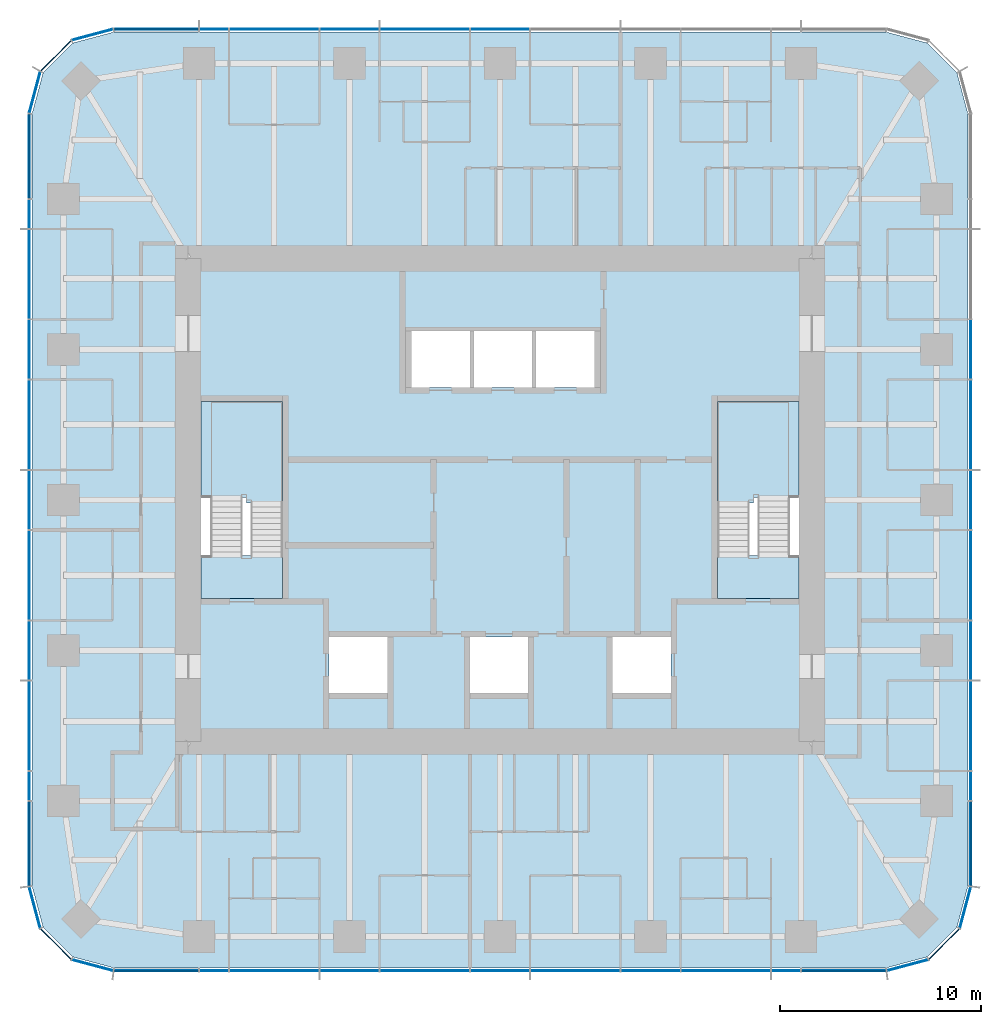
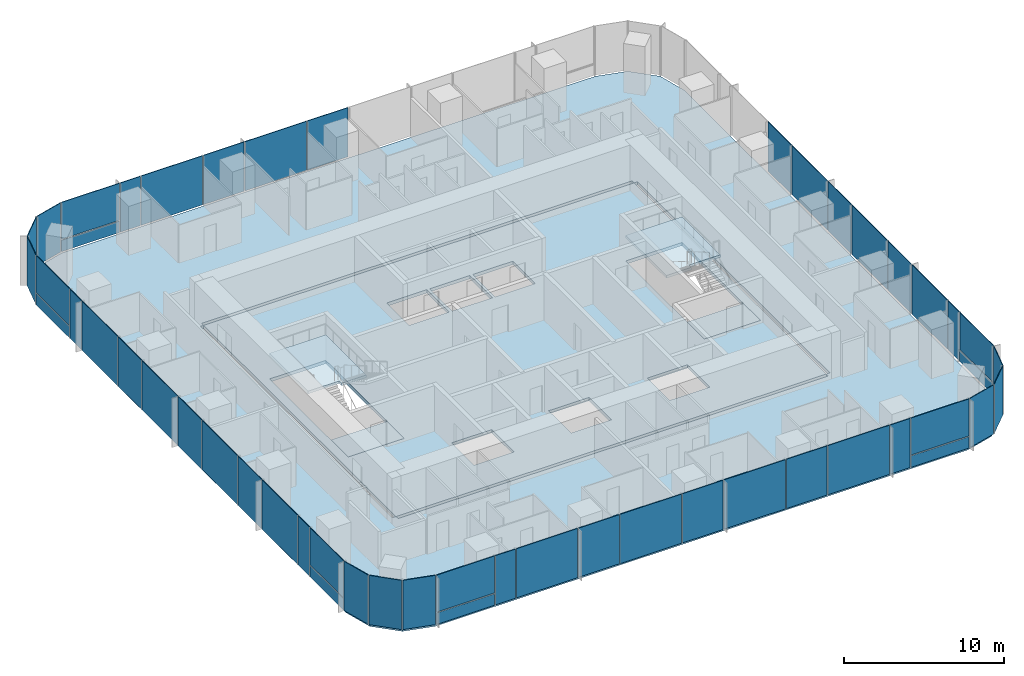
# One storey, part 7 of 12: 51 plates, 6 slabs, 9 elements without a shape of their own.
"""IFC4 building model written with IfcOpenShell, lengths in metres."""

from ifc_helpers import new_model, si_unit, direction, frame, origin, origin_2d, place, context, subcontext, project, spatial, polyline, rectangle, outline, extrude, material, layer, layer_set, type_object, element, aggregate, save


model = new_model("IFC4")

# Units and contexts
model_context = context("Model", 3, precision=1e-05, world=origin(), true_north=direction((0.0, 1.0)))
body_context = subcontext(model_context, "Body", "Model", "MODEL_VIEW")
ifc_project = project(units=[si_unit("LENGTHUNIT", "METRE"), si_unit("AREAUNIT", "SQUARE_METRE"), si_unit("VOLUMEUNIT", "CUBIC_METRE"), si_unit("PLANEANGLEUNIT", "RADIAN"), si_unit("MASSUNIT", "GRAM", prefix="KILO")], contexts=[model_context])

# Site, building, storey
site_placement = place(None, origin())
site = spatial("IfcSite", under=ifc_project, at=site_placement, CompositionType="ELEMENT")
building_placement = place(site_placement, origin())
building = spatial("IfcBuilding", under=site, at=building_placement, Name="Khuree Lantern Residences", CompositionType="ELEMENT")
storey_placement = place(building_placement, frame((0.0, 0.0, 323.25)))
storey = spatial("IfcBuildingStorey", under=building, at=storey_placement, Name="L81", CompositionType="ELEMENT", Elevation=323.25)

# Slab
ifc_material_1 = material(Name="Concrete C35/45", Category="concrete")
ifc_layer_1 = layer(ifc_material_1, 0.25)
ifc_layer_set_1 = layer_set([ifc_layer_1], Name="CFL250 CORE FLOOR SLAB 250")
slab_type_1 = type_object("IfcSlabType", Name="CFL250 CORE FLOOR SLAB 250", PredefinedType="FLOOR", material=ifc_layer_set_1)
slab_1_placement = place(storey_placement, frame((0.0, 0.0, -0.25)))
element("IfcSlab", 1, at=slab_1_placement, inside=storey, type_object=slab_type_1, Name="Core floor L81", PredefinedType="FLOOR", context=body_context, shape_type="SweptSolid", body=[
    extrude(outline(polyline([(-15.5, -12.0), (-15.5, 12.0), (15.5, 12.0), (15.5, -12.0), (-15.5, -12.0)]), holes=[polyline([(10.800048828125, 4.89990234375), (10.800048828125, -4.89990234375), (14.85009765625, -4.89990234375), (14.85009765625, 4.89990234375), (10.800048828125, 4.89990234375)]), polyline([(5.60009765625, -6.800048828125), (5.60009765625, -9.60009765625), (8.5, -9.60009765625), (8.5, -6.800048828125), (5.60009765625, -6.800048828125)]), polyline([(1.800048828125, 8.39990234375), (1.800048828125, 5.60009765625), (4.699951171875, 5.60009765625), (4.699951171875, 8.39990234375), (1.800048828125, 8.39990234375)]), polyline([(-1.300048828125, 8.39990234375), (-1.300048828125, 5.60009765625), (1.60009765625, 5.60009765625), (1.60009765625, 8.39990234375), (-1.300048828125, 8.39990234375)]), polyline([(-1.5, -6.800048828125), (-1.5, -9.60009765625), (1.39990234375, -9.60009765625), (1.39990234375, -6.800048828125), (-1.5, -6.800048828125)]), polyline([(-4.39990234375, 8.39990234375), (-4.39990234375, 5.60009765625), (-1.5, 5.60009765625), (-1.5, 8.39990234375), (-4.39990234375, 8.39990234375)]), polyline([(-8.5, -6.800048828125), (-8.5, -9.60009765625), (-5.60009765625, -9.60009765625), (-5.60009765625, -6.800048828125), (-8.5, -6.800048828125)]), polyline([(-14.85009765625, 4.89990234375), (-14.85009765625, -4.89990234375), (-10.800048828125, -4.89990234375), (-10.800048828125, 4.89990234375), (-14.85009765625, 4.89990234375)])]), origin(), (0.0, 0.0, 1.0), 0.25),
])

# Curtain wall, plates
ifc_material_2 = material(Name="Bronze anodised aluminium", Category="aluminium")
curtain_wall_type_1 = type_object("IfcCurtainWallType", Name="CW-T2 TOWER CORNER CURTAIN WALL", PredefinedType="USERDEFINED", material=ifc_material_2)
curtain_wall_1_placement = place(storey_placement, origin())
curtain_wall_1 = element("IfcCurtainWall", 2, at=curtain_wall_1_placement, inside=storey, type_object=curtain_wall_type_1, Name="L81 SOUTH-EAST CORNER CURTAIN WALL", ObjectType="Faceted corner curtain wall", PredefinedType="USERDEFINED")
ifc_material_3 = material(Name="Bronze tinted triple glazing", Category="glass")
ifc_layer_2 = layer(ifc_material_3, 0.048095703125)
ifc_layer_set_2 = layer_set([ifc_layer_2], Name="FACET PANEL P4")
plate_type_1 = type_object("IfcPlateType", Name="FACET PANEL P4", PredefinedType="CURTAIN_PANEL", material=ifc_layer_set_2)
plate_1_placement = place(storey_placement, frame((20.248046875, -23.119140625, 0.0), z_axis=(0.0, 0.0, 1.0), x_axis=(0.965925861257, 0.2588189146, 0.0)))
plate_1 = element("IfcPlate", 3, at=plate_1_placement, type_object=plate_type_1, Name="L81 SOUTH-EAST CORNER PANEL 1.1", PredefinedType="CURTAIN_PANEL", context=body_context, shape_type="SweptSolid", body=[
    extrude(rectangle(XDim=2.09814453125, YDim=0.048095703125, at=origin_2d()), origin(), (0.0, 0.0, 1.0), 3.75),
])
plate_2_placement = place(storey_placement, frame((22.068603515625, -22.068603515625, 0.0), z_axis=(0.0, 0.0, 1.0), x_axis=(0.707106781187, 0.707106781187, 0.0)))
plate_2 = element("IfcPlate", 4, at=plate_2_placement, type_object=plate_type_1, Name="L81 SOUTH-EAST CORNER PANEL 2.1", PredefinedType="CURTAIN_PANEL", context=body_context, shape_type="SweptSolid", body=[
    extrude(rectangle(XDim=2.093994140625, YDim=0.048095703125, at=origin_2d()), origin(), (0.0, 0.0, 1.0), 3.75),
])
plate_3_placement = place(storey_placement, frame((23.119140625, -20.248046875, 0.0), z_axis=(0.0, 0.0, 1.0), x_axis=(0.2588189146, 0.965925861257, 0.0)))
plate_3 = element("IfcPlate", 5, at=plate_3_placement, type_object=plate_type_1, Name="L81 SOUTH-EAST CORNER PANEL 3.1", PredefinedType="CURTAIN_PANEL", context=body_context, shape_type="SweptSolid", body=[
    extrude(rectangle(XDim=2.09814453125, YDim=0.048095703125, at=origin_2d()), origin(), (0.0, 0.0, 1.0), 3.75),
])
aggregate(curtain_wall_1, [plate_1, plate_2, plate_3])

curtain_wall_2_placement = place(storey_placement, origin())
curtain_wall_2 = element("IfcCurtainWall", 6, at=curtain_wall_2_placement, inside=storey, type_object=curtain_wall_type_1, Name="L81 NORTH-WEST CORNER CURTAIN WALL", ObjectType="Faceted corner curtain wall", PredefinedType="USERDEFINED")
plate_4_placement = place(storey_placement, frame((-20.248046875, 23.119140625, 0.0), z_axis=(0.0, 0.0, 1.0), x_axis=(-0.965925861257, -0.2588189146, 0.0)))
plate_4 = element("IfcPlate", 7, at=plate_4_placement, type_object=plate_type_1, Name="L81 NORTH-WEST CORNER PANEL 29.1", PredefinedType="CURTAIN_PANEL", context=body_context, shape_type="SweptSolid", body=[
    extrude(rectangle(XDim=2.09814453125, YDim=0.048095703125, at=origin_2d()), origin(), (0.0, 0.0, 1.0), 3.75),
])
plate_5_placement = place(storey_placement, frame((-22.068603515625, 22.068603515625, 0.0), z_axis=(0.0, 0.0, 1.0), x_axis=(-0.707106781187, -0.707106781187, 0.0)))
plate_5 = element("IfcPlate", 8, at=plate_5_placement, type_object=plate_type_1, Name="L81 NORTH-WEST CORNER PANEL 30.1", PredefinedType="CURTAIN_PANEL", context=body_context, shape_type="SweptSolid", body=[
    extrude(rectangle(XDim=2.093994140625, YDim=0.048095703125, at=origin_2d()), origin(), (0.0, 0.0, 1.0), 3.75),
])
plate_6_placement = place(storey_placement, frame((-23.119140625, 20.248046875, 0.0), z_axis=(0.0, 0.0, 1.0), x_axis=(-0.2588189146, -0.965925861257, 0.0)))
plate_6 = element("IfcPlate", 9, at=plate_6_placement, type_object=plate_type_1, Name="L81 NORTH-WEST CORNER PANEL 31.1", PredefinedType="CURTAIN_PANEL", context=body_context, shape_type="SweptSolid", body=[
    extrude(rectangle(XDim=2.09814453125, YDim=0.048095703125, at=origin_2d()), origin(), (0.0, 0.0, 1.0), 3.75),
])
aggregate(curtain_wall_2, [plate_4, plate_5, plate_6])

curtain_wall_3_placement = place(storey_placement, origin())
curtain_wall_3 = element("IfcCurtainWall", 10, at=curtain_wall_3_placement, inside=storey, type_object=curtain_wall_type_1, Name="L81 SOUTH-WEST CORNER CURTAIN WALL", ObjectType="Faceted corner curtain wall", PredefinedType="USERDEFINED")
plate_7_placement = place(storey_placement, frame((-23.119140625, -20.248046875, 0.0), z_axis=(0.0, 0.0, 1.0), x_axis=(0.2588189146, -0.965925861257, 0.0)))
plate_7 = element("IfcPlate", 11, at=plate_7_placement, type_object=plate_type_1, Name="L81 SOUTH-WEST CORNER PANEL 43.1", PredefinedType="CURTAIN_PANEL", context=body_context, shape_type="SweptSolid", body=[
    extrude(rectangle(XDim=2.09814453125, YDim=0.048095703125, at=origin_2d()), origin(), (0.0, 0.0, 1.0), 3.75),
])
plate_8_placement = place(storey_placement, frame((-22.068603515625, -22.068603515625, 0.0), z_axis=(0.0, 0.0, 1.0), x_axis=(0.707106781187, -0.707106781187, 0.0)))
plate_8 = element("IfcPlate", 12, at=plate_8_placement, type_object=plate_type_1, Name="L81 SOUTH-WEST CORNER PANEL 44.1", PredefinedType="CURTAIN_PANEL", context=body_context, shape_type="SweptSolid", body=[
    extrude(rectangle(XDim=2.093994140625, YDim=0.048095703125, at=origin_2d()), origin(), (0.0, 0.0, 1.0), 3.75),
])
plate_9_placement = place(storey_placement, frame((-20.248046875, -23.119140625, 0.0), z_axis=(0.0, 0.0, 1.0), x_axis=(0.965925861257, -0.2588189146, 0.0)))
plate_9 = element("IfcPlate", 13, at=plate_9_placement, type_object=plate_type_1, Name="L81 SOUTH-WEST CORNER PANEL 45.1", PredefinedType="CURTAIN_PANEL", context=body_context, shape_type="SweptSolid", body=[
    extrude(rectangle(XDim=2.09814453125, YDim=0.048095703125, at=origin_2d()), origin(), (0.0, 0.0, 1.0), 3.75),
])
aggregate(curtain_wall_3, [plate_7, plate_8, plate_9])

curtain_wall_type_2 = type_object("IfcCurtainWallType", Name="CW-T1 TOWER FACE CURTAIN WALL", PredefinedType="USERDEFINED", material=ifc_material_2)
curtain_wall_4_placement = place(storey_placement, origin())
curtain_wall_4 = element("IfcCurtainWall", 14, at=curtain_wall_4_placement, inside=storey, type_object=curtain_wall_type_2, Name="L81 EAST FACE CURTAIN WALL", ObjectType="Stick-built curtain wall", PredefinedType="USERDEFINED")
ifc_material_4 = material(Name="Bronze tinted triple glazing with a ceramic-fritted spandrel band", Category="glass")
ifc_layer_3 = layer(ifc_material_4, 0.048095703125)
ifc_layer_set_3 = layer_set([ifc_layer_3], Name="FIXED LIGHT PANEL P11")
plate_type_2 = type_object("IfcPlateType", Name="FIXED LIGHT PANEL P11", PredefinedType="CURTAIN_PANEL", material=ifc_layer_set_3)
plate_10_placement = place(storey_placement, frame((23.39990234375, -11.219970703125, 0.0), z_axis=(0.0, 0.0, 1.0), x_axis=(0.0, 1.0, 0.0)))
plate_10 = element("IfcPlate", 15, at=plate_10_placement, type_object=plate_type_2, Name="L81 EAST FACE PANEL 6.1", PredefinedType="CURTAIN_PANEL", context=body_context, shape_type="SweptSolid", body=[
    extrude(rectangle(XDim=4.423095703125, YDim=0.048095703125, at=origin_2d()), origin(), (0.0, 0.0, 1.0), 3.75),
])
plate_11_placement = place(storey_placement, frame((23.39990234375, -3.739990234375, 0.0), z_axis=(0.0, 0.0, 1.0), x_axis=(0.0, 1.0, 0.0)))
plate_11 = element("IfcPlate", 16, at=plate_11_placement, type_object=plate_type_2, Name="L81 EAST FACE PANEL 8.1", PredefinedType="CURTAIN_PANEL", context=body_context, shape_type="SweptSolid", body=[
    extrude(rectangle(XDim=4.423095703125, YDim=0.048095703125, at=origin_2d()), origin(), (0.0, 0.0, 1.0), 3.75),
])
plate_12_placement = place(storey_placement, frame((23.39990234375, 3.739990234375, 0.0), z_axis=(0.0, 0.0, 1.0), x_axis=(0.0, 1.0, 0.0)))
plate_12 = element("IfcPlate", 17, at=plate_12_placement, type_object=plate_type_2, Name="L81 EAST FACE PANEL 10.1", PredefinedType="CURTAIN_PANEL", context=body_context, shape_type="SweptSolid", body=[
    extrude(rectangle(XDim=4.423095703125, YDim=0.048095703125, at=origin_2d()), origin(), (0.0, 0.0, 1.0), 3.75),
])

curtain_wall_5_placement = place(storey_placement, origin())
curtain_wall_5 = element("IfcCurtainWall", 18, at=curtain_wall_5_placement, inside=storey, type_object=curtain_wall_type_2, Name="L81 NORTH FACE CURTAIN WALL", ObjectType="Stick-built curtain wall", PredefinedType="USERDEFINED")
plate_13_placement = place(storey_placement, frame((-3.739990234375, 23.39990234375, 0.0), z_axis=(0.0, 0.0, 1.0), x_axis=(-1.0, 0.0, 0.0)))
plate_13 = element("IfcPlate", 19, at=plate_13_placement, type_object=plate_type_2, Name="L81 NORTH FACE PANEL 24.1", PredefinedType="CURTAIN_PANEL", context=body_context, shape_type="SweptSolid", body=[
    extrude(rectangle(XDim=4.423095703125, YDim=0.048095703125, at=origin_2d()), origin(), (0.0, 0.0, 1.0), 3.75),
])
plate_14_placement = place(storey_placement, frame((-11.219970703125, 23.39990234375, 0.0), z_axis=(0.0, 0.0, 1.0), x_axis=(-1.0, 0.0, 0.0)))
plate_14 = element("IfcPlate", 20, at=plate_14_placement, type_object=plate_type_2, Name="L81 NORTH FACE PANEL 26.1", PredefinedType="CURTAIN_PANEL", context=body_context, shape_type="SweptSolid", body=[
    extrude(rectangle(XDim=4.423095703125, YDim=0.048095703125, at=origin_2d()), origin(), (0.0, 0.0, 1.0), 3.75),
])

curtain_wall_6_placement = place(storey_placement, origin())
curtain_wall_6 = element("IfcCurtainWall", 21, at=curtain_wall_6_placement, inside=storey, type_object=curtain_wall_type_2, Name="L81 WEST FACE CURTAIN WALL", ObjectType="Stick-built curtain wall", PredefinedType="USERDEFINED")
plate_15_placement = place(storey_placement, frame((-23.39990234375, 11.219970703125, 0.0), z_axis=(0.0, 0.0, 1.0), x_axis=(0.0, -1.0, 0.0)))
plate_15 = element("IfcPlate", 22, at=plate_15_placement, type_object=plate_type_2, Name="L81 WEST FACE PANEL 34.1", PredefinedType="CURTAIN_PANEL", context=body_context, shape_type="SweptSolid", body=[
    extrude(rectangle(XDim=4.423095703125, YDim=0.048095703125, at=origin_2d()), origin(), (0.0, 0.0, 1.0), 3.75),
])
plate_16_placement = place(storey_placement, frame((-23.39990234375, 3.739990234375, 0.0), z_axis=(0.0, 0.0, 1.0), x_axis=(0.0, -1.0, 0.0)))
plate_16 = element("IfcPlate", 23, at=plate_16_placement, type_object=plate_type_2, Name="L81 WEST FACE PANEL 36.1", PredefinedType="CURTAIN_PANEL", context=body_context, shape_type="SweptSolid", body=[
    extrude(rectangle(XDim=4.423095703125, YDim=0.048095703125, at=origin_2d()), origin(), (0.0, 0.0, 1.0), 3.75),
])
plate_17_placement = place(storey_placement, frame((-23.39990234375, -3.739990234375, 0.0), z_axis=(0.0, 0.0, 1.0), x_axis=(0.0, -1.0, 0.0)))
plate_17 = element("IfcPlate", 24, at=plate_17_placement, type_object=plate_type_2, Name="L81 WEST FACE PANEL 38.1", PredefinedType="CURTAIN_PANEL", context=body_context, shape_type="SweptSolid", body=[
    extrude(rectangle(XDim=4.423095703125, YDim=0.048095703125, at=origin_2d()), origin(), (0.0, 0.0, 1.0), 3.75),
])
plate_18_placement = place(storey_placement, frame((-23.39990234375, -11.219970703125, 0.0), z_axis=(0.0, 0.0, 1.0), x_axis=(0.0, -1.0, 0.0)))
plate_18 = element("IfcPlate", 25, at=plate_18_placement, type_object=plate_type_2, Name="L81 WEST FACE PANEL 40.1", PredefinedType="CURTAIN_PANEL", context=body_context, shape_type="SweptSolid", body=[
    extrude(rectangle(XDim=4.423095703125, YDim=0.048095703125, at=origin_2d()), origin(), (0.0, 0.0, 1.0), 3.75),
])

curtain_wall_7_placement = place(storey_placement, origin())
curtain_wall_7 = element("IfcCurtainWall", 26, at=curtain_wall_7_placement, inside=storey, type_object=curtain_wall_type_2, Name="L81 SOUTH FACE CURTAIN WALL", ObjectType="Stick-built curtain wall", PredefinedType="USERDEFINED")
plate_19_placement = place(storey_placement, frame((-11.219970703125, -23.39990234375, 0.0), z_axis=(0.0, 0.0, 1.0), x_axis=(1.0, 0.0, 0.0)))
plate_19 = element("IfcPlate", 27, at=plate_19_placement, type_object=plate_type_2, Name="L81 SOUTH FACE PANEL 48.1", PredefinedType="CURTAIN_PANEL", context=body_context, shape_type="SweptSolid", body=[
    extrude(rectangle(XDim=4.423095703125, YDim=0.048095703125, at=origin_2d()), origin(), (0.0, 0.0, 1.0), 3.75),
])
plate_20_placement = place(storey_placement, frame((-3.739990234375, -23.39990234375, 0.0), z_axis=(0.0, 0.0, 1.0), x_axis=(1.0, 0.0, 0.0)))
plate_20 = element("IfcPlate", 28, at=plate_20_placement, type_object=plate_type_2, Name="L81 SOUTH FACE PANEL 50.1", PredefinedType="CURTAIN_PANEL", context=body_context, shape_type="SweptSolid", body=[
    extrude(rectangle(XDim=4.423095703125, YDim=0.048095703125, at=origin_2d()), origin(), (0.0, 0.0, 1.0), 3.75),
])
plate_21_placement = place(storey_placement, frame((3.739990234375, -23.39990234375, 0.0), z_axis=(0.0, 0.0, 1.0), x_axis=(1.0, 0.0, 0.0)))
plate_21 = element("IfcPlate", 29, at=plate_21_placement, type_object=plate_type_2, Name="L81 SOUTH FACE PANEL 52.1", PredefinedType="CURTAIN_PANEL", context=body_context, shape_type="SweptSolid", body=[
    extrude(rectangle(XDim=4.423095703125, YDim=0.048095703125, at=origin_2d()), origin(), (0.0, 0.0, 1.0), 3.75),
])
plate_22_placement = place(storey_placement, frame((11.219970703125, -23.39990234375, 0.0), z_axis=(0.0, 0.0, 1.0), x_axis=(1.0, 0.0, 0.0)))
plate_22 = element("IfcPlate", 30, at=plate_22_placement, type_object=plate_type_2, Name="L81 SOUTH FACE PANEL 54.1", PredefinedType="CURTAIN_PANEL", context=body_context, shape_type="SweptSolid", body=[
    extrude(rectangle(XDim=4.423095703125, YDim=0.048095703125, at=origin_2d()), origin(), (0.0, 0.0, 1.0), 3.75),
])

# Slab
ifc_layer_4 = layer(ifc_material_1, 0.25)
ifc_layer_set_4 = layer_set([ifc_layer_4], Name="FS250 FLOOR SLAB 250")
slab_type_2 = type_object("IfcSlabType", Name="FS250 FLOOR SLAB 250", PredefinedType="FLOOR", material=ifc_layer_set_4)
slab_2_placement = place(storey_placement, frame((0.0, 0.0, -0.25)))
element("IfcSlab", 31, at=slab_2_placement, inside=storey, type_object=slab_type_2, Name="Floor slab L81", PredefinedType="FLOOR", context=body_context, shape_type="SweptSolid", body=[
    extrude(outline(polyline([(-21.22509765625, -22.70751953125), (-22.70751953125, -21.22509765625), (-23.25, -19.199951171875), (-23.25, 19.199951171875), (-22.70751953125, 21.22509765625), (-21.22509765625, 22.70751953125), (-19.199951171875, 23.25), (19.199951171875, 23.25), (21.22509765625, 22.70751953125), (22.70751953125, 21.22509765625), (23.25, 19.199951171875), (23.25, -19.199951171875), (22.70751953125, -21.22509765625), (21.22509765625, -22.70751953125), (19.199951171875, -23.25), (-19.199951171875, -23.25), (-21.22509765625, -22.70751953125)]), holes=[polyline([(15.75, 12.0), (15.5, 12.0), (15.5, 12.25), (-15.5, 12.25), (-15.5, 12.0), (-15.75, 12.0), (-15.75, -12.0), (-15.5, -12.0), (-15.5, -12.25), (15.5, -12.25), (15.5, -12.0), (15.75, -12.0), (15.75, 12.0)])]), origin(), (0.0, 0.0, 1.0), 0.25),
])

# Plate
ifc_material_5 = material(Name="Bronze tinted triple glazing, two aluminium-framed sashes in one frame", Category="aluminium")
ifc_layer_5 = layer(ifc_material_5, 0.048095703125)
ifc_layer_set_5 = layer_set([ifc_layer_5], Name="SASH PAIR PANEL P12")
plate_type_3 = type_object("IfcPlateType", Name="SASH PAIR PANEL P12", PredefinedType="CURTAIN_PANEL", material=ifc_layer_set_5)
plate_23_placement = place(storey_placement, frame((23.39990234375, -7.47998046875, 0.0), z_axis=(0.0, 0.0, 1.0), x_axis=(0.0, 1.0, 0.0)))
plate_23 = element("IfcPlate", 32, at=plate_23_placement, type_object=plate_type_3, Name="L81 EAST FACE PANEL 7.1", PredefinedType="CURTAIN_PANEL", context=body_context, shape_type="SweptSolid", body=[
    extrude(rectangle(XDim=2.927001953125, YDim=0.048095703125, at=origin_2d()), origin(), (0.0, 0.0, 1.0), 3.75),
])

plate_24_placement = place(storey_placement, frame((23.39990234375, 0.0, 0.0), z_axis=(0.0, 0.0, 1.0), x_axis=(0.0, 1.0, 0.0)))
plate_24 = element("IfcPlate", 33, at=plate_24_placement, type_object=plate_type_3, Name="L81 EAST FACE PANEL 9.1", PredefinedType="CURTAIN_PANEL", context=body_context, shape_type="SweptSolid", body=[
    extrude(rectangle(XDim=2.927001953125, YDim=0.048095703125, at=origin_2d()), origin(), (0.0, 0.0, 1.0), 3.75),
])

plate_25_placement = place(storey_placement, frame((23.39990234375, 7.47998046875, 0.0), z_axis=(0.0, 0.0, 1.0), x_axis=(0.0, 1.0, 0.0)))
plate_25 = element("IfcPlate", 34, at=plate_25_placement, type_object=plate_type_3, Name="L81 EAST FACE PANEL 11.1", PredefinedType="CURTAIN_PANEL", context=body_context, shape_type="SweptSolid", body=[
    extrude(rectangle(XDim=2.927001953125, YDim=0.048095703125, at=origin_2d()), origin(), (0.0, 0.0, 1.0), 3.75),
])

plate_26_placement = place(storey_placement, frame((0.0, 23.39990234375, 0.0), z_axis=(0.0, 0.0, 1.0), x_axis=(-1.0, 0.0, 0.0)))
plate_26 = element("IfcPlate", 35, at=plate_26_placement, type_object=plate_type_3, Name="L81 NORTH FACE PANEL 23.1", PredefinedType="CURTAIN_PANEL", context=body_context, shape_type="SweptSolid", body=[
    extrude(rectangle(XDim=2.927001953125, YDim=0.048095703125, at=origin_2d()), origin(), (0.0, 0.0, 1.0), 3.75),
])

plate_27_placement = place(storey_placement, frame((-7.47998046875, 23.39990234375, 0.0), z_axis=(0.0, 0.0, 1.0), x_axis=(-1.0, 0.0, 0.0)))
plate_27 = element("IfcPlate", 36, at=plate_27_placement, type_object=plate_type_3, Name="L81 NORTH FACE PANEL 25.1", PredefinedType="CURTAIN_PANEL", context=body_context, shape_type="SweptSolid", body=[
    extrude(rectangle(XDim=2.927001953125, YDim=0.048095703125, at=origin_2d()), origin(), (0.0, 0.0, 1.0), 3.75),
])

plate_28_placement = place(storey_placement, frame((-23.39990234375, 7.47998046875, 0.0), z_axis=(0.0, 0.0, 1.0), x_axis=(0.0, -1.0, 0.0)))
plate_28 = element("IfcPlate", 37, at=plate_28_placement, type_object=plate_type_3, Name="L81 WEST FACE PANEL 35.1", PredefinedType="CURTAIN_PANEL", context=body_context, shape_type="SweptSolid", body=[
    extrude(rectangle(XDim=2.927001953125, YDim=0.048095703125, at=origin_2d()), origin(), (0.0, 0.0, 1.0), 3.75),
])

plate_29_placement = place(storey_placement, frame((-23.39990234375, 0.0, 0.0), z_axis=(0.0, 0.0, 1.0), x_axis=(0.0, -1.0, 0.0)))
plate_29 = element("IfcPlate", 38, at=plate_29_placement, type_object=plate_type_3, Name="L81 WEST FACE PANEL 37.1", PredefinedType="CURTAIN_PANEL", context=body_context, shape_type="SweptSolid", body=[
    extrude(rectangle(XDim=2.927001953125, YDim=0.048095703125, at=origin_2d()), origin(), (0.0, 0.0, 1.0), 3.75),
])

plate_30_placement = place(storey_placement, frame((-23.39990234375, -7.47998046875, 0.0), z_axis=(0.0, 0.0, 1.0), x_axis=(0.0, -1.0, 0.0)))
plate_30 = element("IfcPlate", 39, at=plate_30_placement, type_object=plate_type_3, Name="L81 WEST FACE PANEL 39.1", PredefinedType="CURTAIN_PANEL", context=body_context, shape_type="SweptSolid", body=[
    extrude(rectangle(XDim=2.927001953125, YDim=0.048095703125, at=origin_2d()), origin(), (0.0, 0.0, 1.0), 3.75),
])

plate_31_placement = place(storey_placement, frame((-7.47998046875, -23.39990234375, 0.0), z_axis=(0.0, 0.0, 1.0), x_axis=(1.0, 0.0, 0.0)))
plate_31 = element("IfcPlate", 40, at=plate_31_placement, type_object=plate_type_3, Name="L81 SOUTH FACE PANEL 49.1", PredefinedType="CURTAIN_PANEL", context=body_context, shape_type="SweptSolid", body=[
    extrude(rectangle(XDim=2.927001953125, YDim=0.048095703125, at=origin_2d()), origin(), (0.0, 0.0, 1.0), 3.75),
])

plate_32_placement = place(storey_placement, frame((0.0, -23.39990234375, 0.0), z_axis=(0.0, 0.0, 1.0), x_axis=(1.0, 0.0, 0.0)))
plate_32 = element("IfcPlate", 41, at=plate_32_placement, type_object=plate_type_3, Name="L81 SOUTH FACE PANEL 51.1", PredefinedType="CURTAIN_PANEL", context=body_context, shape_type="SweptSolid", body=[
    extrude(rectangle(XDim=2.927001953125, YDim=0.048095703125, at=origin_2d()), origin(), (0.0, 0.0, 1.0), 3.75),
])

plate_33_placement = place(storey_placement, frame((7.47998046875, -23.39990234375, 0.0), z_axis=(0.0, 0.0, 1.0), x_axis=(1.0, 0.0, 0.0)))
plate_33 = element("IfcPlate", 42, at=plate_33_placement, type_object=plate_type_3, Name="L81 SOUTH FACE PANEL 53.1", PredefinedType="CURTAIN_PANEL", context=body_context, shape_type="SweptSolid", body=[
    extrude(rectangle(XDim=2.927001953125, YDim=0.048095703125, at=origin_2d()), origin(), (0.0, 0.0, 1.0), 3.75),
])

ifc_material_6 = material(Name="Bronze tinted triple glazing, aluminium-framed sash", Category="aluminium")
ifc_layer_6 = layer(ifc_material_6, 0.048095703125)
ifc_layer_set_6 = layer_set([ifc_layer_6], Name="SASH PANEL P3")
plate_type_4 = type_object("IfcPlateType", Name="SASH PANEL P3", PredefinedType="CURTAIN_PANEL", material=ifc_layer_set_6)
plate_34_placement = place(storey_placement, frame((23.39990234375, -14.2119140625, 0.0), z_axis=(0.0, 0.0, 1.0), x_axis=(0.0, 1.0, 0.0)))
plate_34 = element("IfcPlate", 43, at=plate_34_placement, type_object=plate_type_4, Name="L81 EAST FACE PANEL 5.1", PredefinedType="CURTAIN_PANEL", context=body_context, shape_type="SweptSolid", body=[
    extrude(rectangle(XDim=1.430908203125, YDim=0.048095703125, at=origin_2d()), origin(), (0.0, 0.0, 1.0), 3.75),
])

plate_35_placement = place(storey_placement, frame((-14.2119140625, 23.39990234375, 0.0), z_axis=(0.0, 0.0, 1.0), x_axis=(-1.0, 0.0, 0.0)))
plate_35 = element("IfcPlate", 44, at=plate_35_placement, type_object=plate_type_4, Name="L81 NORTH FACE PANEL 27.1", PredefinedType="CURTAIN_PANEL", context=body_context, shape_type="SweptSolid", body=[
    extrude(rectangle(XDim=1.430908203125, YDim=0.048095703125, at=origin_2d()), origin(), (0.0, 0.0, 1.0), 3.75),
])

plate_36_placement = place(storey_placement, frame((-23.39990234375, 14.2119140625, 0.0), z_axis=(0.0, 0.0, 1.0), x_axis=(0.0, -1.0, 0.0)))
plate_36 = element("IfcPlate", 45, at=plate_36_placement, type_object=plate_type_4, Name="L81 WEST FACE PANEL 33.1", PredefinedType="CURTAIN_PANEL", context=body_context, shape_type="SweptSolid", body=[
    extrude(rectangle(XDim=1.430908203125, YDim=0.048095703125, at=origin_2d()), origin(), (0.0, 0.0, 1.0), 3.75),
])

plate_37_placement = place(storey_placement, frame((-23.39990234375, -14.2119140625, 0.0), z_axis=(0.0, 0.0, 1.0), x_axis=(0.0, -1.0, 0.0)))
plate_37 = element("IfcPlate", 46, at=plate_37_placement, type_object=plate_type_4, Name="L81 WEST FACE PANEL 41.1", PredefinedType="CURTAIN_PANEL", context=body_context, shape_type="SweptSolid", body=[
    extrude(rectangle(XDim=1.430908203125, YDim=0.048095703125, at=origin_2d()), origin(), (0.0, 0.0, 1.0), 3.75),
])

plate_38_placement = place(storey_placement, frame((-14.2119140625, -23.39990234375, 0.0), z_axis=(0.0, 0.0, 1.0), x_axis=(1.0, 0.0, 0.0)))
plate_38 = element("IfcPlate", 47, at=plate_38_placement, type_object=plate_type_4, Name="L81 SOUTH FACE PANEL 47.1", PredefinedType="CURTAIN_PANEL", context=body_context, shape_type="SweptSolid", body=[
    extrude(rectangle(XDim=1.430908203125, YDim=0.048095703125, at=origin_2d()), origin(), (0.0, 0.0, 1.0), 3.75),
])

plate_39_placement = place(storey_placement, frame((14.2119140625, -23.39990234375, 0.0), z_axis=(0.0, 0.0, 1.0), x_axis=(1.0, 0.0, 0.0)))
plate_39 = element("IfcPlate", 48, at=plate_39_placement, type_object=plate_type_4, Name="L81 SOUTH FACE PANEL 55.1", PredefinedType="CURTAIN_PANEL", context=body_context, shape_type="SweptSolid", body=[
    extrude(rectangle(XDim=1.430908203125, YDim=0.048095703125, at=origin_2d()), origin(), (0.0, 0.0, 1.0), 3.75),
])

ifc_material_7 = material(Name="Bronze anodised aluminium insulated spandrel", Category="aluminium")
ifc_layer_7 = layer(ifc_material_7, 0.06005859375)
ifc_layer_set_7 = layer_set([ifc_layer_7], Name="SPANDREL PANEL P2")
plate_type_5 = type_object("IfcPlateType", Name="SPANDREL PANEL P2", PredefinedType="CURTAIN_PANEL", material=ifc_layer_set_7)
plate_40_placement = place(storey_placement, frame((23.39990234375, -17.077880859375, 0.0), z_axis=(0.0, 0.0, 1.0), x_axis=(0.0, 1.0, 0.0)))
plate_40 = element("IfcPlate", 49, at=plate_40_placement, type_object=plate_type_5, Name="L81 EAST FACE PANEL 4.1", PredefinedType="CURTAIN_PANEL", context=body_context, shape_type="SweptSolid", body=[
    extrude(rectangle(XDim=4.170654296875, YDim=0.06005859375, at=origin_2d()), origin(), (0.0, 0.0, 1.0), 0.867431640625),
])

plate_41_placement = place(storey_placement, frame((-17.077880859375, 23.39990234375, 0.0), z_axis=(0.0, 0.0, 1.0), x_axis=(-1.0, 0.0, 0.0)))
plate_41 = element("IfcPlate", 50, at=plate_41_placement, type_object=plate_type_5, Name="L81 NORTH FACE PANEL 28.1", PredefinedType="CURTAIN_PANEL", context=body_context, shape_type="SweptSolid", body=[
    extrude(rectangle(XDim=4.170654296875, YDim=0.06005859375, at=origin_2d()), origin(), (0.0, 0.0, 1.0), 0.867431640625),
])

plate_42_placement = place(storey_placement, frame((-23.39990234375, 17.077880859375, 0.0), z_axis=(0.0, 0.0, 1.0), x_axis=(0.0, -1.0, 0.0)))
plate_42 = element("IfcPlate", 51, at=plate_42_placement, type_object=plate_type_5, Name="L81 WEST FACE PANEL 32.1", PredefinedType="CURTAIN_PANEL", context=body_context, shape_type="SweptSolid", body=[
    extrude(rectangle(XDim=4.170654296875, YDim=0.06005859375, at=origin_2d()), origin(), (0.0, 0.0, 1.0), 0.867431640625),
])

plate_43_placement = place(storey_placement, frame((-23.39990234375, -17.077880859375, 0.0), z_axis=(0.0, 0.0, 1.0), x_axis=(0.0, -1.0, 0.0)))
plate_43 = element("IfcPlate", 52, at=plate_43_placement, type_object=plate_type_5, Name="L81 WEST FACE PANEL 42.1", PredefinedType="CURTAIN_PANEL", context=body_context, shape_type="SweptSolid", body=[
    extrude(rectangle(XDim=4.170654296875, YDim=0.06005859375, at=origin_2d()), origin(), (0.0, 0.0, 1.0), 0.867431640625),
])

plate_44_placement = place(storey_placement, frame((-17.077880859375, -23.39990234375, 0.0), z_axis=(0.0, 0.0, 1.0), x_axis=(1.0, 0.0, 0.0)))
plate_44 = element("IfcPlate", 53, at=plate_44_placement, type_object=plate_type_5, Name="L81 SOUTH FACE PANEL 46.1", PredefinedType="CURTAIN_PANEL", context=body_context, shape_type="SweptSolid", body=[
    extrude(rectangle(XDim=4.170654296875, YDim=0.06005859375, at=origin_2d()), origin(), (0.0, 0.0, 1.0), 0.867431640625),
])

plate_45_placement = place(storey_placement, frame((17.077880859375, -23.39990234375, 0.0), z_axis=(0.0, 0.0, 1.0), x_axis=(1.0, 0.0, 0.0)))
plate_45 = element("IfcPlate", 54, at=plate_45_placement, type_object=plate_type_5, Name="L81 SOUTH FACE PANEL 56.1", PredefinedType="CURTAIN_PANEL", context=body_context, shape_type="SweptSolid", body=[
    extrude(rectangle(XDim=4.170654296875, YDim=0.06005859375, at=origin_2d()), origin(), (0.0, 0.0, 1.0), 0.867431640625),
])

# Stair, slabs
ifc_material_8 = material(Name="Concrete C40/50", Category="concrete")
stair_type = type_object("IfcStairType", Name="STAIR ST1 HALF TURN 3600", PredefinedType="HALF_TURN_STAIR", material=ifc_material_8)
stair_1_placement = place(storey_placement, origin())
stair_1 = element("IfcStair", 55, at=stair_1_placement, inside=storey, type_object=stair_type, Name="Stair ST1", PredefinedType="HALF_TURN_STAIR")
ifc_layer_8 = layer(ifc_material_8, 0.199951171875)
ifc_layer_set_8 = layer_set([ifc_layer_8], Name="STAIR LANDING SL1 200")
slab_type_3 = type_object("IfcSlabType", Name="STAIR LANDING SL1 200", PredefinedType="LANDING", material=ifc_layer_set_8)
slab_3_placement = place(storey_placement, frame((0.0, 0.0, -0.199951171875)))
slab_3 = element("IfcSlab", 56, at=slab_3_placement, type_object=slab_type_3, Name="ST1 landing 1", PredefinedType="LANDING", context=body_context, shape_type="SweptSolid", body=[
    extrude(outline(polyline([(-14.85009765625, -4.89990234375), (-10.800048828125, -4.89990234375), (-10.800048828125, -2.760009765625), (-14.85009765625, -2.760009765625), (-14.85009765625, -4.89990234375)])), origin(), (0.0, 0.0, 1.0), 0.199951171875),
])
slab_4_placement = place(storey_placement, frame((0.0, 0.0, 1.756591796875)))
slab_4 = element("IfcSlab", 57, at=slab_4_placement, type_object=slab_type_3, Name="ST1 landing 2", PredefinedType="LANDING", context=body_context, shape_type="SweptSolid", body=[
    extrude(outline(polyline([(-14.85009765625, 0.1201171875), (-14.85009765625, 4.89990234375), (-10.800048828125, 4.89990234375), (-10.800048828125, -0.159912109375), (-12.60009765625, -0.159912109375), (-12.60009765625, 0.1201171875), (-14.85009765625, 0.1201171875)])), origin(), (0.0, 0.0, 1.0), 0.199951171875),
])
aggregate(stair_1, [slab_3, slab_4])

stair_2_placement = place(storey_placement, origin())
stair_2 = element("IfcStair", 58, at=stair_2_placement, inside=storey, type_object=stair_type, Name="Stair ST2", PredefinedType="HALF_TURN_STAIR")
slab_5_placement = place(storey_placement, frame((0.0, 0.0, -0.199951171875)))
slab_5 = element("IfcSlab", 59, at=slab_5_placement, type_object=slab_type_3, Name="ST2 landing 1", PredefinedType="LANDING", context=body_context, shape_type="SweptSolid", body=[
    extrude(outline(polyline([(10.800048828125, -4.89990234375), (14.85009765625, -4.89990234375), (14.85009765625, -2.760009765625), (10.800048828125, -2.760009765625), (10.800048828125, -4.89990234375)])), origin(), (0.0, 0.0, 1.0), 0.199951171875),
])
slab_6_placement = place(storey_placement, frame((0.0, 0.0, 1.756591796875)))
slab_6 = element("IfcSlab", 60, at=slab_6_placement, type_object=slab_type_3, Name="ST2 landing 2", PredefinedType="LANDING", context=body_context, shape_type="SweptSolid", body=[
    extrude(outline(polyline([(14.85009765625, 4.89990234375), (14.85009765625, 0.1201171875), (12.60009765625, 0.1201171875), (12.60009765625, -0.159912109375), (10.800048828125, -0.159912109375), (10.800048828125, 4.89990234375), (14.85009765625, 4.89990234375)])), origin(), (0.0, 0.0, 1.0), 0.199951171875),
])
aggregate(stair_2, [slab_5, slab_6])

# Plate
ifc_layer_9 = layer(ifc_material_3, 0.048095703125)
ifc_layer_set_9 = layer_set([ifc_layer_9], Name="VISION PANEL P1")
plate_type_6 = type_object("IfcPlateType", Name="VISION PANEL P1", PredefinedType="CURTAIN_PANEL", material=ifc_layer_set_9)
plate_46_placement = place(storey_placement, frame((23.39990234375, -17.078369140625, 0.9326171875), z_axis=(0.0, 0.0, 1.0), x_axis=(0.0, 1.0, 0.0)))
plate_46 = element("IfcPlate", 61, at=plate_46_placement, type_object=plate_type_6, Name="L81 EAST FACE PANEL 4.2", PredefinedType="CURTAIN_PANEL", context=body_context, shape_type="SweptSolid", body=[
    extrude(rectangle(XDim=4.171630859375, YDim=0.048095703125, at=origin_2d()), origin(), (0.0, 0.0, 1.0), 2.8173828125),
])

aggregate(curtain_wall_4, [plate_40, plate_46, plate_34, plate_10, plate_23, plate_11, plate_24, plate_12, plate_25])

plate_47_placement = place(storey_placement, frame((-17.078369140625, 23.39990234375, 0.9326171875), z_axis=(0.0, 0.0, 1.0), x_axis=(-1.0, 0.0, 0.0)))
plate_47 = element("IfcPlate", 62, at=plate_47_placement, type_object=plate_type_6, Name="L81 NORTH FACE PANEL 28.2", PredefinedType="CURTAIN_PANEL", context=body_context, shape_type="SweptSolid", body=[
    extrude(rectangle(XDim=4.171630859375, YDim=0.048095703125, at=origin_2d()), origin(), (0.0, 0.0, 1.0), 2.8173828125),
])

aggregate(curtain_wall_5, [plate_26, plate_13, plate_27, plate_14, plate_35, plate_41, plate_47])

plate_48_placement = place(storey_placement, frame((-23.39990234375, 17.078369140625, 0.9326171875), z_axis=(0.0, 0.0, 1.0), x_axis=(0.0, -1.0, 0.0)))
plate_48 = element("IfcPlate", 63, at=plate_48_placement, type_object=plate_type_6, Name="L81 WEST FACE PANEL 32.2", PredefinedType="CURTAIN_PANEL", context=body_context, shape_type="SweptSolid", body=[
    extrude(rectangle(XDim=4.171630859375, YDim=0.048095703125, at=origin_2d()), origin(), (0.0, 0.0, 1.0), 2.8173828125),
])

plate_49_placement = place(storey_placement, frame((-23.39990234375, -17.078369140625, 0.9326171875), z_axis=(0.0, 0.0, 1.0), x_axis=(0.0, -1.0, 0.0)))
plate_49 = element("IfcPlate", 64, at=plate_49_placement, type_object=plate_type_6, Name="L81 WEST FACE PANEL 42.2", PredefinedType="CURTAIN_PANEL", context=body_context, shape_type="SweptSolid", body=[
    extrude(rectangle(XDim=4.171630859375, YDim=0.048095703125, at=origin_2d()), origin(), (0.0, 0.0, 1.0), 2.8173828125),
])

aggregate(curtain_wall_6, [plate_42, plate_48, plate_36, plate_15, plate_28, plate_16, plate_29, plate_17, plate_30, plate_18, plate_37, plate_43, plate_49])

plate_50_placement = place(storey_placement, frame((-17.078369140625, -23.39990234375, 0.9326171875), z_axis=(0.0, 0.0, 1.0), x_axis=(1.0, 0.0, 0.0)))
plate_50 = element("IfcPlate", 65, at=plate_50_placement, type_object=plate_type_6, Name="L81 SOUTH FACE PANEL 46.2", PredefinedType="CURTAIN_PANEL", context=body_context, shape_type="SweptSolid", body=[
    extrude(rectangle(XDim=4.171630859375, YDim=0.048095703125, at=origin_2d()), origin(), (0.0, 0.0, 1.0), 2.8173828125),
])

plate_51_placement = place(storey_placement, frame((17.078369140625, -23.39990234375, 0.9326171875), z_axis=(0.0, 0.0, 1.0), x_axis=(1.0, 0.0, 0.0)))
plate_51 = element("IfcPlate", 66, at=plate_51_placement, type_object=plate_type_6, Name="L81 SOUTH FACE PANEL 56.2", PredefinedType="CURTAIN_PANEL", context=body_context, shape_type="SweptSolid", body=[
    extrude(rectangle(XDim=4.171630859375, YDim=0.048095703125, at=origin_2d()), origin(), (0.0, 0.0, 1.0), 2.8173828125),
])

aggregate(curtain_wall_7, [plate_44, plate_50, plate_38, plate_19, plate_31, plate_20, plate_32, plate_21, plate_33, plate_22, plate_39, plate_45, plate_51])

save(model, "model.ifc")
